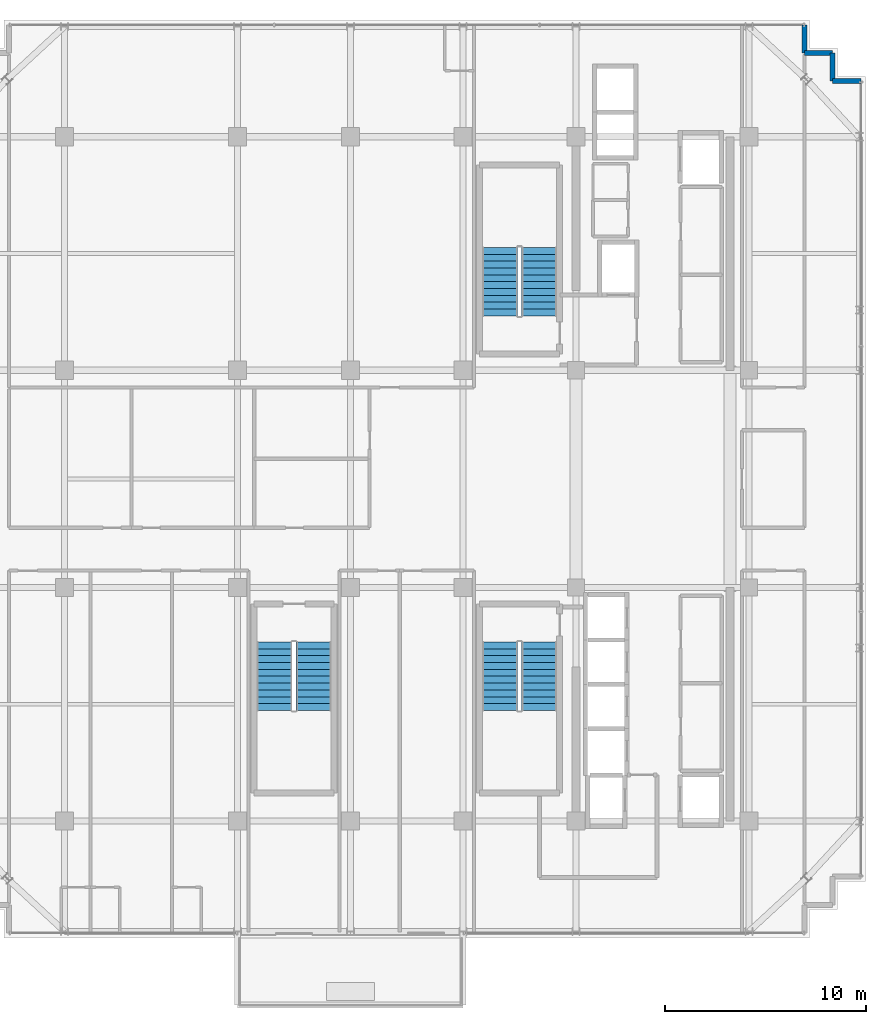
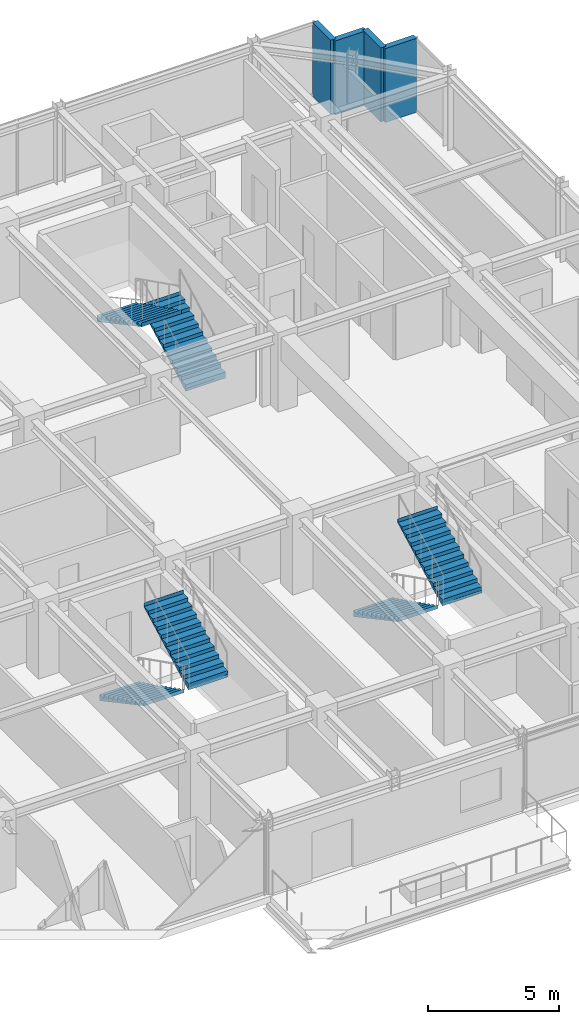
# One storey, part 28 of 31: 6 stair flights, 4 walls, 3 elements without a shape of their own.
"""IFC4 building model written with IfcOpenShell, lengths in metres."""

from ifc_helpers import new_model, si_unit, direction, frame, frame_2d, origin, place, context, subcontext, project, spatial, polyline, rectangle, outline, extrude, source, transform, mapped, material, layer, layer_set, type_object, element, aggregate, save


model = new_model("IFC4")

# Units and contexts
model_context = context("Model", 3, precision=1e-05, world=origin(), true_north=direction((0.0, 1.0)))
body_context = subcontext(model_context, "Body", "Model", "MODEL_VIEW")
ifc_project = project(units=[si_unit("LENGTHUNIT", "METRE"), si_unit("AREAUNIT", "SQUARE_METRE"), si_unit("VOLUMEUNIT", "CUBIC_METRE"), si_unit("PLANEANGLEUNIT", "RADIAN"), si_unit("MASSUNIT", "GRAM", prefix="KILO")], contexts=[model_context])

# Site, building, storey
site_placement = place(None, origin())
site = spatial("IfcSite", under=ifc_project, at=site_placement, CompositionType="ELEMENT")
building_placement = place(site_placement, origin())
building = spatial("IfcBuilding", under=site, at=building_placement, Name="Nahalor Promenade Grand Hotel", CompositionType="ELEMENT")
storey_placement = place(building_placement, frame((0.0, 0.0, 277.550048828125)))
storey = spatial("IfcBuildingStorey", under=building, at=storey_placement, Name="L71", CompositionType="ELEMENT", Elevation=277.550048828125)

# Walls
ifc_material_1 = material(Name="Concrete B-40 (C32/40)", Category="concrete")
ifc_layer_1 = layer(ifc_material_1, 0.25)
ifc_layer_set_1 = layer_set([ifc_layer_1], Name="Concrete B-40 (C32/40)")
wall_type = type_object("IfcWallType", Name="Wall-BronzePier-250", PredefinedType="STANDARD", material=ifc_layer_set_1)
shared_shape_1 = source(origin(), body_context, "Body", "SweptSolid", [
    extrude(rectangle(XDim=1.400146484375, YDim=0.25, at=frame_2d((0.7001953125, 0.0))), origin(), (0.0, 0.0, 1.0), 3.449951171875),
])
for number, where, z_axis, x_axis, name in (
    (1, (21.159912109375, 19.760009765625, 0.0), (0.0, 0.0, 1.0), (1.0, 0.0, 0.0), "W-L71-SR-05"),
    (2, (19.760009765625, 21.159912109375, 0.0), (0.0, 0.0, 1.0), (0.0, 1.0, 0.0), "W-L71-SR-08"),
):
    element("IfcWall", number, at=place(storey_placement, frame(where, z_axis=z_axis, x_axis=x_axis)), inside=storey, type_object=wall_type, Name=name, PredefinedType="STANDARD", context=body_context, shape_type="MappedRepresentation", body=[
        mapped(shared_shape_1, transform((0.0, 0.0, 0.0), scale=1.0)),
    ])
shared_shape_2 = source(origin(), body_context, "Body", "SweptSolid", [
    extrude(rectangle(XDim=1.39990234375, YDim=0.25, at=frame_2d((0.699951171875, 0.0))), origin(), (0.0, 0.0, 1.0), 3.449951171875),
])
for number, where, z_axis, x_axis, name in (
    (3, (21.159912109375, 19.760009765625, 0.0), (0.0, 0.0, 1.0), (0.0, 1.0, 0.0), "W-L71-SR-06"),
    (4, (19.760009765625, 21.159912109375, 0.0), (0.0, 0.0, 1.0), (1.0, 0.0, 0.0), "W-L71-SR-07"),
):
    element("IfcWall", number, at=place(storey_placement, frame(where, z_axis=z_axis, x_axis=x_axis)), inside=storey, type_object=wall_type, Name=name, PredefinedType="STANDARD", context=body_context, shape_type="MappedRepresentation", body=[
        mapped(shared_shape_2, transform((0.0, 0.0, 0.0), scale=1.0)),
    ])

# Stair, stair flights
ifc_material_2 = material(Name="Concrete B-50 (C40/50)", Category="concrete")
stair_type_1 = type_object("IfcStairType", Name="Stair-ST1", PredefinedType="HALF_TURN_STAIR", material=ifc_material_2)
stair_1_placement = place(storey_placement, origin())
stair_1 = element("IfcStair", 5, at=stair_1_placement, inside=storey, type_object=stair_type_1, Name="L71 ST1", PredefinedType="HALF_TURN_STAIR")
ifc_layer_2 = layer(ifc_material_2, 0.179931640625)
ifc_layer_set_2 = layer_set([ifc_layer_2], Name="Concrete B-50 (C40/50)")
stair_flight_type_1 = type_object("IfcStairFlightType", Name="Flight-ST1", PredefinedType="STRAIGHT", material=ifc_layer_set_2)
shared_shape_3 = source(origin(), body_context, "Body", "SweptSolid", [
    extrude(outline(polyline([(-0.00390625, -0.1201171875), (-0.00390625, 0.0), (0.0, 0.0), (0.0, 0.17041015625), (0.340087890625, 0.17041015625), (0.340087890625, 0.3408203125), (0.679931640625, 0.3408203125), (0.679931640625, 0.511474609375), (1.02001953125, 0.511474609375), (1.02001953125, 0.681884765625), (1.360107421875, 0.681884765625), (1.360107421875, 0.852294921875), (1.699951171875, 0.852294921875), (1.699951171875, 1.022705078125), (2.0400390625, 1.022705078125), (2.0400390625, 1.193115234375), (2.3798828125, 1.193115234375), (2.3798828125, 1.363525390625), (2.719970703125, 1.363525390625), (2.719970703125, 1.5341796875), (3.06005859375, 1.5341796875), (3.06005859375, 1.70458984375), (3.39990234375, 1.70458984375), (3.39990234375, 1.875), (3.404052734375, 1.875), (3.404052734375, 1.695068359375), (0.02001953125, -0.1201171875), (-0.00390625, -0.1201171875)])), frame((0.0, 0.875, 0.0), z_axis=(0.0, -1.0, 0.0), x_axis=(1.0, 0.0, 0.0)), (0.0, 0.0, 1.0), 1.75),
])
stair_flight_1_placement = place(storey_placement, frame((6.574951171875, 8.10009765625, 0.0), z_axis=(0.0, 0.0, 1.0), x_axis=(0.0, 1.0, 0.0)))
stair_flight_1 = element("IfcStairFlight", 6, at=stair_flight_1_placement, type_object=stair_flight_type_1, Name="ST1 flight 1", NumberOfRisers=11, NumberOfTreads=10, PredefinedType="STRAIGHT", RiserHeight=0.170454545, TreadLength=0.34, context=body_context, shape_type="MappedRepresentation", body=[
    mapped(shared_shape_3, transform((0.0, 0.0, 0.0), scale=1.0)),
])
stair_flight_2_placement = place(storey_placement, frame((4.625, 11.5, 1.875), z_axis=(0.0, 0.0, 1.0), x_axis=(0.0, -1.0, 0.0)))
stair_flight_2 = element("IfcStairFlight", 7, at=stair_flight_2_placement, type_object=stair_flight_type_1, Name="ST1 flight 2", NumberOfRisers=11, NumberOfTreads=10, PredefinedType="STRAIGHT", RiserHeight=0.170454545, TreadLength=0.34, context=body_context, shape_type="MappedRepresentation", body=[
    mapped(shared_shape_3, transform((0.0, 0.0, 0.0), scale=1.0)),
])
aggregate(stair_1, [stair_flight_1, stair_flight_2])

stair_type_2 = type_object("IfcStairType", Name="Stair-ST2", PredefinedType="HALF_TURN_STAIR", material=ifc_material_2)
stair_2_placement = place(storey_placement, origin())
stair_2 = element("IfcStair", 8, at=stair_2_placement, inside=storey, type_object=stair_type_2, Name="L71 ST2", PredefinedType="HALF_TURN_STAIR")
ifc_layer_3 = layer(ifc_material_2, 0.18994140625)
ifc_layer_set_3 = layer_set([ifc_layer_3], Name="Concrete B-50 (C40/50)")
stair_flight_type_2 = type_object("IfcStairFlightType", Name="Flight-ST2", PredefinedType="STRAIGHT", material=ifc_layer_set_3)
shared_shape_4 = source(origin(), body_context, "Body", "SweptSolid", [
    extrude(outline(polyline([(-0.00390625, -0.1201171875), (-0.00390625, 0.0), (0.0, 0.0), (0.0, 0.17041015625), (0.340087890625, 0.17041015625), (0.340087890625, 0.3408203125), (0.679931640625, 0.3408203125), (0.679931640625, 0.511474609375), (1.02001953125, 0.511474609375), (1.02001953125, 0.681884765625), (1.360107421875, 0.681884765625), (1.360107421875, 0.852294921875), (1.699951171875, 0.852294921875), (1.699951171875, 1.022705078125), (2.0400390625, 1.022705078125), (2.0400390625, 1.193115234375), (2.3798828125, 1.193115234375), (2.3798828125, 1.363525390625), (2.719970703125, 1.363525390625), (2.719970703125, 1.5341796875), (3.06005859375, 1.5341796875), (3.06005859375, 1.70458984375), (3.39990234375, 1.70458984375), (3.39990234375, 1.875), (3.404052734375, 1.875), (3.404052734375, 1.695068359375), (0.02001953125, -0.1201171875), (-0.00390625, -0.1201171875)])), frame((0.0, 0.875, 0.0), z_axis=(0.0, -1.0, 0.0), x_axis=(1.0, 0.0, 0.0)), (0.0, 0.0, 1.0), 1.75),
])
stair_flight_3_placement = place(storey_placement, frame((4.625, -8.10009765625, 0.0), z_axis=(0.0, 0.0, 1.0), x_axis=(0.0, -1.0, 0.0)))
stair_flight_3 = element("IfcStairFlight", 9, at=stair_flight_3_placement, type_object=stair_flight_type_2, Name="ST2 flight 1", NumberOfRisers=11, NumberOfTreads=10, PredefinedType="STRAIGHT", RiserHeight=0.170454545, TreadLength=0.34, context=body_context, shape_type="MappedRepresentation", body=[
    mapped(shared_shape_4, transform((0.0, 0.0, 0.0), scale=1.0)),
])
stair_flight_4_placement = place(storey_placement, frame((6.574951171875, -11.5, 1.875), z_axis=(0.0, 0.0, 1.0), x_axis=(0.0, 1.0, 0.0)))
stair_flight_4 = element("IfcStairFlight", 10, at=stair_flight_4_placement, type_object=stair_flight_type_2, Name="ST2 flight 2", NumberOfRisers=11, NumberOfTreads=10, PredefinedType="STRAIGHT", RiserHeight=0.170454545, TreadLength=0.34, context=body_context, shape_type="MappedRepresentation", body=[
    mapped(shared_shape_4, transform((0.0, 0.0, 0.0), scale=1.0)),
])
aggregate(stair_2, [stair_flight_3, stair_flight_4])

stair_type_3 = type_object("IfcStairType", Name="Stair-ST3", PredefinedType="HALF_TURN_STAIR", material=ifc_material_2)
stair_3_placement = place(storey_placement, origin())
stair_3 = element("IfcStair", 11, at=stair_3_placement, inside=storey, type_object=stair_type_3, Name="L71 ST3", PredefinedType="HALF_TURN_STAIR")
ifc_layer_4 = layer(ifc_material_2, 0.199951171875)
ifc_layer_set_4 = layer_set([ifc_layer_4], Name="Concrete B-50 (C40/50)")
stair_flight_type_3 = type_object("IfcStairFlightType", Name="Flight-ST3", PredefinedType="STRAIGHT", material=ifc_layer_set_4)
shared_shape_5 = source(origin(), body_context, "Body", "SweptSolid", [
    extrude(outline(polyline([(-0.00390625, -0.1201171875), (-0.00390625, 0.0), (0.0, 0.0), (0.0, 0.17041015625), (0.340087890625, 0.17041015625), (0.340087890625, 0.3408203125), (0.679931640625, 0.3408203125), (0.679931640625, 0.511474609375), (1.02001953125, 0.511474609375), (1.02001953125, 0.681884765625), (1.360107421875, 0.681884765625), (1.360107421875, 0.852294921875), (1.699951171875, 0.852294921875), (1.699951171875, 1.022705078125), (2.0400390625, 1.022705078125), (2.0400390625, 1.193115234375), (2.3798828125, 1.193115234375), (2.3798828125, 1.363525390625), (2.719970703125, 1.363525390625), (2.719970703125, 1.5341796875), (3.06005859375, 1.5341796875), (3.06005859375, 1.70458984375), (3.39990234375, 1.70458984375), (3.39990234375, 1.875), (3.404052734375, 1.875), (3.404052734375, 1.695068359375), (0.02001953125, -0.1201171875), (-0.00390625, -0.1201171875)])), frame((0.0, 0.875, 0.0), z_axis=(0.0, -1.0, 0.0), x_axis=(1.0, 0.0, 0.0)), (0.0, 0.0, 1.0), 1.75),
])
stair_flight_5_placement = place(storey_placement, frame((-6.574951171875, -8.10009765625, 0.0), z_axis=(0.0, 0.0, 1.0), x_axis=(0.0, -1.0, 0.0)))
stair_flight_5 = element("IfcStairFlight", 12, at=stair_flight_5_placement, type_object=stair_flight_type_3, Name="ST3 flight 1", NumberOfRisers=11, NumberOfTreads=10, PredefinedType="STRAIGHT", RiserHeight=0.170454545, TreadLength=0.34, context=body_context, shape_type="MappedRepresentation", body=[
    mapped(shared_shape_5, transform((0.0, 0.0, 0.0), scale=1.0)),
])
stair_flight_6_placement = place(storey_placement, frame((-4.625, -11.5, 1.875), z_axis=(0.0, 0.0, 1.0), x_axis=(0.0, 1.0, 0.0)))
stair_flight_6 = element("IfcStairFlight", 13, at=stair_flight_6_placement, type_object=stair_flight_type_3, Name="ST3 flight 2", NumberOfRisers=11, NumberOfTreads=10, PredefinedType="STRAIGHT", RiserHeight=0.170454545, TreadLength=0.34, context=body_context, shape_type="MappedRepresentation", body=[
    mapped(shared_shape_5, transform((0.0, 0.0, 0.0), scale=1.0)),
])
aggregate(stair_3, [stair_flight_5, stair_flight_6])

save(model, "model.ifc")
